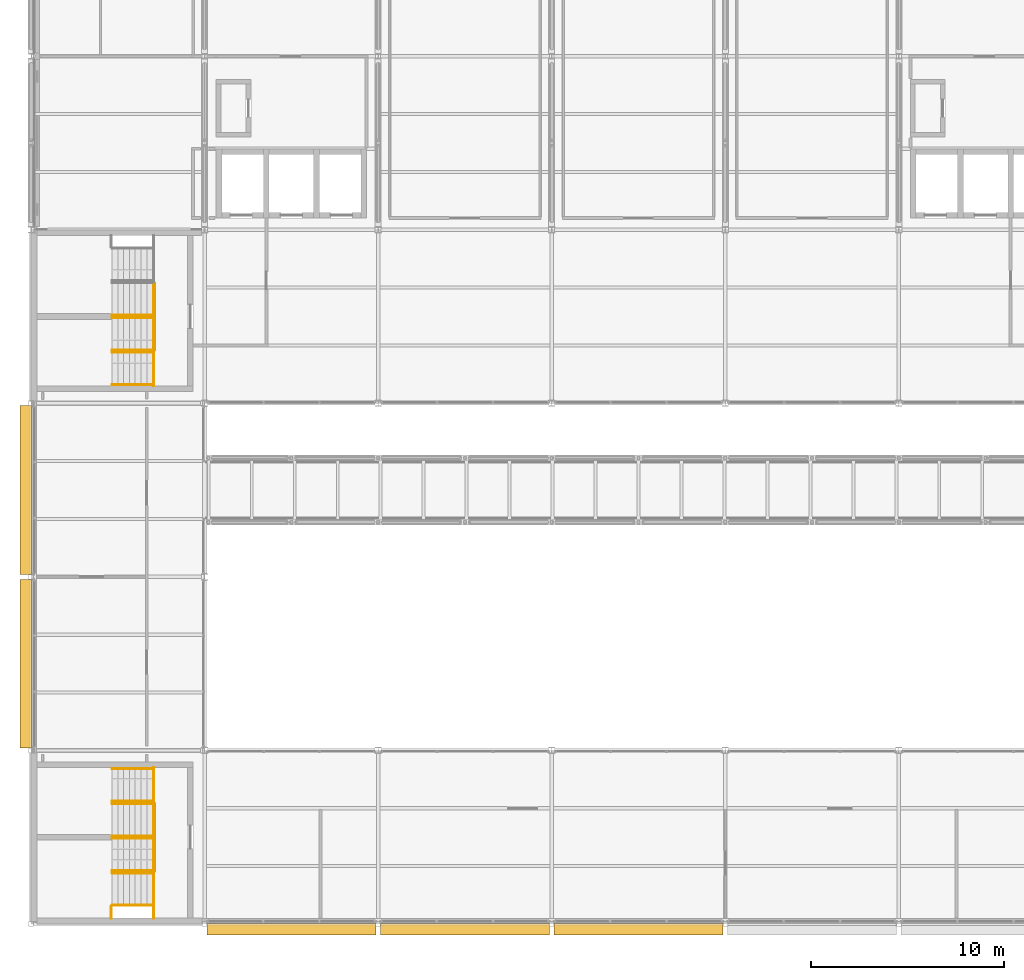
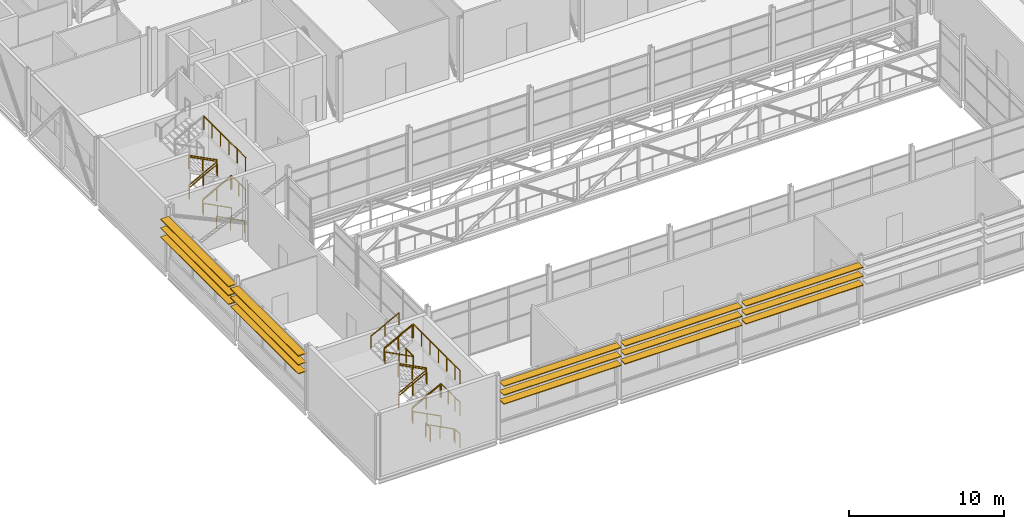
# One storey, part 89 of 94: 29 railings, 15 shading devices.
"""IFC4 building model written with IfcOpenShell, lengths in metres."""

from ifc_helpers import new_model, si_unit, direction, frame, origin, origin_2d, place, context, subcontext, project, spatial, rectangle, circle, extrude, material, layer, layer_set, type_object, element, save


model = new_model("IFC4")

# Units and contexts
model_context = context("Model", 3, precision=1e-05, world=origin(), true_north=direction((0.0, 1.0)))
body_context = subcontext(model_context, "Body", "Model", "MODEL_VIEW")
ifc_project = project(units=[si_unit("LENGTHUNIT", "METRE"), si_unit("AREAUNIT", "SQUARE_METRE"), si_unit("VOLUMEUNIT", "CUBIC_METRE"), si_unit("PLANEANGLEUNIT", "RADIAN"), si_unit("MASSUNIT", "GRAM", prefix="KILO")], contexts=[model_context])

# Site, building, storey
site_placement = place(None, origin())
site = spatial("IfcSite", under=ifc_project, at=site_placement, CompositionType="ELEMENT")
building_placement = place(site_placement, origin())
building = spatial("IfcBuilding", under=site, at=building_placement, Name="Shorebreak Coast Museum", CompositionType="ELEMENT")
storey_placement = place(building_placement, frame((0.0, 0.0, 31.0)))
storey = spatial("IfcBuildingStorey", under=building, at=storey_placement, Name="L05", CompositionType="ELEMENT", Elevation=31.0)

# Shading devices
ifc_material_1 = material(Name="Aluminium", Category="aluminium")
ifc_layer = layer(ifc_material_1, 0.06005859375)
ifc_layer_set = layer_set([ifc_layer], Name="Aluminium")
shading_device_type = type_object("IfcShadingDeviceType", Name="Aluminium louvre blade 60 x 600", PredefinedType="USERDEFINED", material=ifc_layer_set)
for number, where, z_axis, x_axis, name in (
    (1, (67.5, 53.72509765625, 4.337890625), (0.0, 0.0, 1.0), (1.0, 0.0, 0.0), "Aluminium louvre L05 S37"),
    (2, (67.5, 53.72509765625, 3.6376953125), (0.0, 0.0, 1.0), (1.0, 0.0, 0.0), "Aluminium louvre L05 S38"),
    (3, (67.5, 53.72509765625, 2.937744140625), (0.0, 0.0, 1.0), (1.0, 0.0, 0.0), "Aluminium louvre L05 S39"),
    (4, (76.5, 53.72509765625, 4.337890625), (0.0, 0.0, 1.0), (1.0, 0.0, 0.0), "Aluminium louvre L05 S40"),
    (5, (76.5, 53.72509765625, 3.6376953125), (0.0, 0.0, 1.0), (1.0, 0.0, 0.0), "Aluminium louvre L05 S41"),
    (6, (76.5, 53.72509765625, 2.937744140625), (0.0, 0.0, 1.0), (1.0, 0.0, 0.0), "Aluminium louvre L05 S42"),
    (7, (85.5, 53.72509765625, 4.337890625), (0.0, 0.0, 1.0), (1.0, 0.0, 0.0), "Aluminium louvre L05 S43"),
    (8, (85.5, 53.72509765625, 3.6376953125), (0.0, 0.0, 1.0), (1.0, 0.0, 0.0), "Aluminium louvre L05 S44"),
    (9, (85.5, 53.72509765625, 2.937744140625), (0.0, 0.0, 1.0), (1.0, 0.0, 0.0), "Aluminium louvre L05 S45"),
):
    element("IfcShadingDevice", number, at=place(storey_placement, frame(where, z_axis=z_axis, x_axis=x_axis)), inside=storey, type_object=shading_device_type, Name=name, ObjectType="LOUVRE", PredefinedType="USERDEFINED", context=body_context, shape_type="SweptSolid", body=[
        extrude(rectangle(XDim=8.75, YDim=0.60009765625, at=origin_2d()), origin(), (0.0, 0.0, 1.0), 0.06005859375),
    ])
for number, where, z_axis, x_axis, name in (
    (10, (53.72509765625, 67.5, 4.238525390625), (0.0, 0.0, 1.0), (1.0, 0.0, 0.0), "Aluminium louvre L05 W52"),
    (11, (53.72509765625, 67.5, 3.53857421875), (0.0, 0.0, 1.0), (1.0, 0.0, 0.0), "Aluminium louvre L05 W53"),
    (12, (53.72509765625, 67.5, 2.838623046875), (0.0, 0.0, 1.0), (1.0, 0.0, 0.0), "Aluminium louvre L05 W54"),
    (13, (53.72509765625, 76.5, 4.238525390625), (0.0, 0.0, 1.0), (1.0, 0.0, 0.0), "Aluminium louvre L05 W55"),
    (14, (53.72509765625, 76.5, 3.53857421875), (0.0, 0.0, 1.0), (1.0, 0.0, 0.0), "Aluminium louvre L05 W56"),
    (15, (53.72509765625, 76.5, 2.838623046875), (0.0, 0.0, 1.0), (1.0, 0.0, 0.0), "Aluminium louvre L05 W57"),
):
    element("IfcShadingDevice", number, at=place(storey_placement, frame(where, z_axis=z_axis, x_axis=x_axis)), inside=storey, type_object=shading_device_type, Name=name, ObjectType="LOUVRE", PredefinedType="USERDEFINED", context=body_context, shape_type="SweptSolid", body=[
        extrude(rectangle(XDim=0.60009765625, YDim=8.75, at=origin_2d()), origin(), (0.0, 0.0, 1.0), 0.06005859375),
    ])

# Railings
ifc_material_2 = material(Name="Steel Grade 300", Category="steel")
railing_type_1 = type_object("IfcRailingType", Name="Stair guard 1100", PredefinedType="GUARDRAIL", material=ifc_material_2)
for number, where, name in (
    (16, (60.35009765625, 54.89990234375, 2.5), "Guard ST01 L05 landing mid1"),
    (17, (60.35009765625, 60.300048828125, 2.5), "Guard ST01 L05 landing mid1"),
):
    element("IfcRailing", number, at=place(storey_placement, frame(where)), inside=storey, type_object=railing_type_1, Name=name, PredefinedType="GUARDRAIL", context=body_context, shape_type="SweptSolid", body=[
        extrude(circle(Radius=0.02490234375, at=origin_2d()), frame((0.0, 0.0, 1.0751953125), z_axis=(0.0, 1.0, 0.0), x_axis=(-1.0, 0.0, 0.0)), (0.0, 0.0, 1.0), 1.800048828125),
        extrude(circle(Radius=0.02001953125, at=origin_2d()), origin(), (0.0, 0.0, 1.0), 1.050048828125),
        extrude(circle(Radius=0.02001953125, at=origin_2d()), frame((0.0, 0.89990234375, 0.0)), (0.0, 0.0, 1.0), 1.050048828125),
        extrude(circle(Radius=0.02001953125, at=origin_2d()), frame((0.0, 1.800048828125, 0.0)), (0.0, 0.0, 1.0), 1.050048828125),
    ])
railing_1_placement = place(storey_placement, frame((60.35009765625, 54.89990234375, 5.0)))
element("IfcRailing", 18, at=railing_1_placement, inside=storey, type_object=railing_type_1, Name="Guard ST01 L05 landing top", PredefinedType="GUARDRAIL", context=body_context, shape_type="SweptSolid", body=[
    extrude(circle(Radius=0.02490234375, at=origin_2d()), frame((0.0, 0.0, 1.0751953125), z_axis=(0.0, 1.0, 0.0), x_axis=(-1.0, 0.0, 0.0)), (0.0, 0.0, 1.0), 5.400146484375),
    extrude(circle(Radius=0.02001953125, at=origin_2d()), origin(), (0.0, 0.0, 1.0), 1.050048828125),
    extrude(circle(Radius=0.02001953125, at=origin_2d()), frame((0.0, 1.080078125, 0.0)), (0.0, 0.0, 1.0), 1.050048828125),
    extrude(circle(Radius=0.02001953125, at=origin_2d()), frame((0.0, 2.16015625, 0.0)), (0.0, 0.0, 1.0), 1.050048828125),
    extrude(circle(Radius=0.02001953125, at=origin_2d()), frame((0.0, 3.239990234375, 0.0)), (0.0, 0.0, 1.0), 1.050048828125),
    extrude(circle(Radius=0.02001953125, at=origin_2d()), frame((0.0, 4.320068359375, 0.0)), (0.0, 0.0, 1.0), 1.050048828125),
    extrude(circle(Radius=0.02001953125, at=origin_2d()), frame((0.0, 5.400146484375, 0.0)), (0.0, 0.0, 1.0), 1.050048828125),
])
for number, where, name in (
    (19, (60.35009765625, 54.300048828125, 0.0), "Guard ST01 L05 landing strip"),
    (20, (60.35009765625, 54.300048828125, 2.5), "Guard ST01 L05 landing strip"),
    (21, (58.14990234375, 54.300048828125, 1.25), "Guard ST01 L05 landing strip"),
    (22, (60.35009765625, 54.300048828125, 5.0), "Guard ST01 L05 landing strip"),
):
    element("IfcRailing", number, at=place(storey_placement, frame(where)), inside=storey, type_object=railing_type_1, Name=name, PredefinedType="GUARDRAIL", context=body_context, shape_type="SweptSolid", body=[
        extrude(circle(Radius=0.02490234375, at=origin_2d()), frame((0.0, 0.0, 1.0751953125), z_axis=(0.0, 1.0, 0.0), x_axis=(-1.0, 0.0, 0.0)), (0.0, 0.0, 1.0), 0.599853515625),
        extrude(circle(Radius=0.02001953125, at=origin_2d()), origin(), (0.0, 0.0, 1.0), 1.050048828125),
        extrude(circle(Radius=0.02001953125, at=origin_2d()), frame((0.0, 0.599853515625, 0.0)), (0.0, 0.0, 1.0), 1.050048828125),
    ])
for number, where, name in (
    (23, (58.199951171875, 56.699951171875, 1.40625), "Guard ST01-L05 well 1"),
    (24, (58.199951171875, 60.300048828125, 3.90625), "Guard ST01-L05 well 2"),
    (25, (58.199951171875, 58.5, 1.40625), "Guard ST01-L05 side 1"),
):
    element("IfcRailing", number, at=place(storey_placement, frame(where)), inside=storey, type_object=railing_type_1, Name=name, PredefinedType="GUARDRAIL", context=body_context, shape_type="SweptSolid", body=[
        extrude(circle(Radius=0.02490234375, at=origin_2d()), frame((0.0, 0.0, 1.0751953125), z_axis=(0.8869228845, 0.0, 0.461917521804), x_axis=(0.0, 1.0, 0.0)), (0.0, 0.0, 1.0), 2.367919921875),
        extrude(circle(Radius=0.02001953125, at=origin_2d()), origin(), (0.0, 0.0, 1.0), 1.050048828125),
        extrude(circle(Radius=0.02001953125, at=origin_2d()), frame((1.050048828125, 0.0, 0.546875)), (0.0, 0.0, 1.0), 1.050048828125),
        extrude(circle(Radius=0.02001953125, at=origin_2d()), frame((2.10009765625, 0.0, 1.09375)), (0.0, 0.0, 1.0), 1.050048828125),
    ])
railing_2_placement = place(storey_placement, frame((60.300048828125, 58.5, 2.65625)))
element("IfcRailing", 26, at=railing_2_placement, inside=storey, type_object=railing_type_1, Name="Guard ST01-L05 side 2", PredefinedType="GUARDRAIL", context=body_context, shape_type="SweptSolid", body=[
    extrude(circle(Radius=0.02490234375, at=origin_2d()), frame((0.0, 0.0, 1.0751953125), z_axis=(-0.8869228845, 0.0, 0.461917521804), x_axis=(0.0, -1.0, 0.0)), (0.0, 0.0, 1.0), 2.367919921875),
    extrude(circle(Radius=0.02001953125, at=origin_2d()), origin(), (0.0, 0.0, 1.0), 1.050048828125),
    extrude(circle(Radius=0.02001953125, at=origin_2d()), frame((-1.050048828125, 0.0, 0.546875)), (0.0, 0.0, 1.0), 1.050048828125),
    extrude(circle(Radius=0.02001953125, at=origin_2d()), frame((-2.10009765625, 0.0, 1.09375)), (0.0, 0.0, 1.0), 1.050048828125),
])
railing_3_placement = place(storey_placement, frame((60.35009765625, 81.89990234375, 2.5)))
element("IfcRailing", 27, at=railing_3_placement, inside=storey, type_object=railing_type_1, Name="Guard ST03 L05 landing mid1", PredefinedType="GUARDRAIL", context=body_context, shape_type="SweptSolid", body=[
    extrude(circle(Radius=0.02490234375, at=origin_2d()), frame((0.0, 0.0, 1.0751953125), z_axis=(0.0, 1.0, 0.0), x_axis=(-1.0, 0.0, 0.0)), (0.0, 0.0, 1.0), 1.800048828125),
    extrude(circle(Radius=0.02001953125, at=origin_2d()), origin(), (0.0, 0.0, 1.0), 1.050048828125),
    extrude(circle(Radius=0.02001953125, at=origin_2d()), frame((0.0, 0.89990234375, 0.0)), (0.0, 0.0, 1.0), 1.050048828125),
    extrude(circle(Radius=0.02001953125, at=origin_2d()), frame((0.0, 1.800048828125, 0.0)), (0.0, 0.0, 1.0), 1.050048828125),
])
railing_4_placement = place(storey_placement, frame((60.35009765625, 81.89990234375, 5.0)))
element("IfcRailing", 28, at=railing_4_placement, inside=storey, type_object=railing_type_1, Name="Guard ST03 L05 landing top", PredefinedType="GUARDRAIL", context=body_context, shape_type="SweptSolid", body=[
    extrude(circle(Radius=0.02490234375, at=origin_2d()), frame((0.0, 0.0, 1.0751953125), z_axis=(0.0, 1.0, 0.0), x_axis=(-1.0, 0.0, 0.0)), (0.0, 0.0, 1.0), 5.400146484375),
    extrude(circle(Radius=0.02001953125, at=origin_2d()), origin(), (0.0, 0.0, 1.0), 1.050048828125),
    extrude(circle(Radius=0.02001953125, at=origin_2d()), frame((0.0, 1.080078125, 0.0)), (0.0, 0.0, 1.0), 1.050048828125),
    extrude(circle(Radius=0.02001953125, at=origin_2d()), frame((0.0, 2.16015625, 0.0)), (0.0, 0.0, 1.0), 1.050048828125),
    extrude(circle(Radius=0.02001953125, at=origin_2d()), frame((0.0, 3.239990234375, 0.0)), (0.0, 0.0, 1.0), 1.050048828125),
    extrude(circle(Radius=0.02001953125, at=origin_2d()), frame((0.0, 4.320068359375, 0.0)), (0.0, 0.0, 1.0), 1.050048828125),
    extrude(circle(Radius=0.02001953125, at=origin_2d()), frame((0.0, 5.400146484375, 0.0)), (0.0, 0.0, 1.0), 1.050048828125),
])
for number, where, name in (
    (29, (58.199951171875, 83.699951171875, 1.40625), "Guard ST03-L05 well 1"),
    (30, (58.199951171875, 85.5, 1.40625), "Guard ST03-L05 side 1"),
):
    element("IfcRailing", number, at=place(storey_placement, frame(where)), inside=storey, type_object=railing_type_1, Name=name, PredefinedType="GUARDRAIL", context=body_context, shape_type="SweptSolid", body=[
        extrude(circle(Radius=0.02490234375, at=origin_2d()), frame((0.0, 0.0, 1.0751953125), z_axis=(0.8869228845, 0.0, 0.461917521804), x_axis=(0.0, 1.0, 0.0)), (0.0, 0.0, 1.0), 2.367919921875),
        extrude(circle(Radius=0.02001953125, at=origin_2d()), origin(), (0.0, 0.0, 1.0), 1.050048828125),
        extrude(circle(Radius=0.02001953125, at=origin_2d()), frame((1.050048828125, 0.0, 0.546875)), (0.0, 0.0, 1.0), 1.050048828125),
        extrude(circle(Radius=0.02001953125, at=origin_2d()), frame((2.10009765625, 0.0, 1.09375)), (0.0, 0.0, 1.0), 1.050048828125),
    ])
railing_5_placement = place(storey_placement, frame((60.300048828125, 85.5, 2.65625)))
element("IfcRailing", 31, at=railing_5_placement, inside=storey, type_object=railing_type_1, Name="Guard ST03-L05 side 2", PredefinedType="GUARDRAIL", context=body_context, shape_type="SweptSolid", body=[
    extrude(circle(Radius=0.02490234375, at=origin_2d()), frame((0.0, 0.0, 1.0751953125), z_axis=(-0.8869228845, 0.0, 0.461917521804), x_axis=(0.0, -1.0, 0.0)), (0.0, 0.0, 1.0), 2.367919921875),
    extrude(circle(Radius=0.02001953125, at=origin_2d()), origin(), (0.0, 0.0, 1.0), 1.050048828125),
    extrude(circle(Radius=0.02001953125, at=origin_2d()), frame((-1.050048828125, 0.0, 0.546875)), (0.0, 0.0, 1.0), 1.050048828125),
    extrude(circle(Radius=0.02001953125, at=origin_2d()), frame((-2.10009765625, 0.0, 1.09375)), (0.0, 0.0, 1.0), 1.050048828125),
])
ifc_material_3 = material(Name="Steel Grade 300", Category="steel")
railing_type_2 = type_object("IfcRailingType", Name="Stair handrail 950", PredefinedType="HANDRAIL", material=ifc_material_3)
for number, where, name in (
    (32, (60.300048828125, 54.9599609375, 0.15625), "Handrail ST01-L05 flight 1a"),
    (33, (60.300048828125, 56.639892578125, 0.15625), "Handrail ST01-L05 flight 1b"),
):
    element("IfcRailing", number, at=place(storey_placement, frame(where)), inside=storey, type_object=railing_type_2, Name=name, PredefinedType="HANDRAIL", context=body_context, shape_type="SweptSolid", body=[
        extrude(circle(Radius=0.02490234375, at=origin_2d()), frame((0.0, 0.0, 0.9248046875), z_axis=(-0.8869228845, 0.0, 0.461917521804), x_axis=(0.0, -1.0, 0.0)), (0.0, 0.0, 1.0), 2.367919921875),
        extrude(circle(Radius=0.02001953125, at=origin_2d()), origin(), (0.0, 0.0, 1.0), 0.89990234375),
        extrude(circle(Radius=0.02001953125, at=origin_2d()), frame((-1.050048828125, 0.0, 0.546875)), (0.0, 0.0, 1.0), 0.89990234375),
        extrude(circle(Radius=0.02001953125, at=origin_2d()), frame((-2.10009765625, 0.0, 1.09375)), (0.0, 0.0, 1.0), 0.89990234375),
    ])
for number, where, name in (
    (34, (58.199951171875, 56.760009765625, 1.40625), "Handrail ST01-L05 flight 2a"),
    (35, (58.199951171875, 58.43994140625, 1.40625), "Handrail ST01-L05 flight 2b"),
):
    element("IfcRailing", number, at=place(storey_placement, frame(where)), inside=storey, type_object=railing_type_2, Name=name, PredefinedType="HANDRAIL", context=body_context, shape_type="SweptSolid", body=[
        extrude(circle(Radius=0.02490234375, at=origin_2d()), frame((0.0, 0.0, 0.9248046875), z_axis=(0.8869228845, 0.0, 0.461917521804), x_axis=(0.0, 1.0, 0.0)), (0.0, 0.0, 1.0), 2.367919921875),
        extrude(circle(Radius=0.02001953125, at=origin_2d()), origin(), (0.0, 0.0, 1.0), 0.89990234375),
        extrude(circle(Radius=0.02001953125, at=origin_2d()), frame((1.050048828125, 0.0, 0.546875)), (0.0, 0.0, 1.0), 0.89990234375),
        extrude(circle(Radius=0.02001953125, at=origin_2d()), frame((2.10009765625, 0.0, 1.09375)), (0.0, 0.0, 1.0), 0.89990234375),
    ])
for number, where, name in (
    (36, (60.300048828125, 58.56005859375, 2.65625), "Handrail ST01-L05 flight 3a"),
    (37, (60.300048828125, 60.239990234375, 2.65625), "Handrail ST01-L05 flight 3b"),
):
    element("IfcRailing", number, at=place(storey_placement, frame(where)), inside=storey, type_object=railing_type_2, Name=name, PredefinedType="HANDRAIL", context=body_context, shape_type="SweptSolid", body=[
        extrude(circle(Radius=0.02490234375, at=origin_2d()), frame((0.0, 0.0, 0.9248046875), z_axis=(-0.8869228845, 0.0, 0.461917521804), x_axis=(0.0, -1.0, 0.0)), (0.0, 0.0, 1.0), 2.367919921875),
        extrude(circle(Radius=0.02001953125, at=origin_2d()), origin(), (0.0, 0.0, 1.0), 0.89990234375),
        extrude(circle(Radius=0.02001953125, at=origin_2d()), frame((-1.050048828125, 0.0, 0.546875)), (0.0, 0.0, 1.0), 0.89990234375),
        extrude(circle(Radius=0.02001953125, at=origin_2d()), frame((-2.10009765625, 0.0, 1.09375)), (0.0, 0.0, 1.0), 0.89990234375),
    ])
for number, where, name in (
    (38, (58.199951171875, 60.360107421875, 3.90625), "Handrail ST01-L05 flight 4a"),
    (39, (58.199951171875, 62.0400390625, 3.90625), "Handrail ST01-L05 flight 4b"),
):
    element("IfcRailing", number, at=place(storey_placement, frame(where)), inside=storey, type_object=railing_type_2, Name=name, PredefinedType="HANDRAIL", context=body_context, shape_type="SweptSolid", body=[
        extrude(circle(Radius=0.02490234375, at=origin_2d()), frame((0.0, 0.0, 0.9248046875), z_axis=(0.8869228845, 0.0, 0.461917521804), x_axis=(0.0, 1.0, 0.0)), (0.0, 0.0, 1.0), 2.367919921875),
        extrude(circle(Radius=0.02001953125, at=origin_2d()), origin(), (0.0, 0.0, 1.0), 0.89990234375),
        extrude(circle(Radius=0.02001953125, at=origin_2d()), frame((1.050048828125, 0.0, 0.546875)), (0.0, 0.0, 1.0), 0.89990234375),
        extrude(circle(Radius=0.02001953125, at=origin_2d()), frame((2.10009765625, 0.0, 1.09375)), (0.0, 0.0, 1.0), 0.89990234375),
    ])
for number, where, name in (
    (40, (60.300048828125, 81.9599609375, 0.15625), "Handrail ST03-L05 flight 1a"),
    (41, (60.300048828125, 83.639892578125, 0.15625), "Handrail ST03-L05 flight 1b"),
):
    element("IfcRailing", number, at=place(storey_placement, frame(where)), inside=storey, type_object=railing_type_2, Name=name, PredefinedType="HANDRAIL", context=body_context, shape_type="SweptSolid", body=[
        extrude(circle(Radius=0.02490234375, at=origin_2d()), frame((0.0, 0.0, 0.9248046875), z_axis=(-0.8869228845, 0.0, 0.461917521804), x_axis=(0.0, -1.0, 0.0)), (0.0, 0.0, 1.0), 2.367919921875),
        extrude(circle(Radius=0.02001953125, at=origin_2d()), origin(), (0.0, 0.0, 1.0), 0.89990234375),
        extrude(circle(Radius=0.02001953125, at=origin_2d()), frame((-1.050048828125, 0.0, 0.546875)), (0.0, 0.0, 1.0), 0.89990234375),
        extrude(circle(Radius=0.02001953125, at=origin_2d()), frame((-2.10009765625, 0.0, 1.09375)), (0.0, 0.0, 1.0), 0.89990234375),
    ])
for number, where, name in (
    (42, (58.199951171875, 83.760009765625, 1.40625), "Handrail ST03-L05 flight 2a"),
    (43, (58.199951171875, 85.43994140625, 1.40625), "Handrail ST03-L05 flight 2b"),
):
    element("IfcRailing", number, at=place(storey_placement, frame(where)), inside=storey, type_object=railing_type_2, Name=name, PredefinedType="HANDRAIL", context=body_context, shape_type="SweptSolid", body=[
        extrude(circle(Radius=0.02490234375, at=origin_2d()), frame((0.0, 0.0, 0.9248046875), z_axis=(0.8869228845, 0.0, 0.461917521804), x_axis=(0.0, 1.0, 0.0)), (0.0, 0.0, 1.0), 2.367919921875),
        extrude(circle(Radius=0.02001953125, at=origin_2d()), origin(), (0.0, 0.0, 1.0), 0.89990234375),
        extrude(circle(Radius=0.02001953125, at=origin_2d()), frame((1.050048828125, 0.0, 0.546875)), (0.0, 0.0, 1.0), 0.89990234375),
        extrude(circle(Radius=0.02001953125, at=origin_2d()), frame((2.10009765625, 0.0, 1.09375)), (0.0, 0.0, 1.0), 0.89990234375),
    ])
railing_6_placement = place(storey_placement, frame((60.300048828125, 85.56005859375, 2.65625)))
element("IfcRailing", 44, at=railing_6_placement, inside=storey, type_object=railing_type_2, Name="Handrail ST03-L05 flight 3a", PredefinedType="HANDRAIL", context=body_context, shape_type="SweptSolid", body=[
    extrude(circle(Radius=0.02490234375, at=origin_2d()), frame((0.0, 0.0, 0.9248046875), z_axis=(-0.8869228845, 0.0, 0.461917521804), x_axis=(0.0, -1.0, 0.0)), (0.0, 0.0, 1.0), 2.367919921875),
    extrude(circle(Radius=0.02001953125, at=origin_2d()), origin(), (0.0, 0.0, 1.0), 0.89990234375),
    extrude(circle(Radius=0.02001953125, at=origin_2d()), frame((-1.050048828125, 0.0, 0.546875)), (0.0, 0.0, 1.0), 0.89990234375),
    extrude(circle(Radius=0.02001953125, at=origin_2d()), frame((-2.10009765625, 0.0, 1.09375)), (0.0, 0.0, 1.0), 0.89990234375),
])

save(model, "model.ifc")
